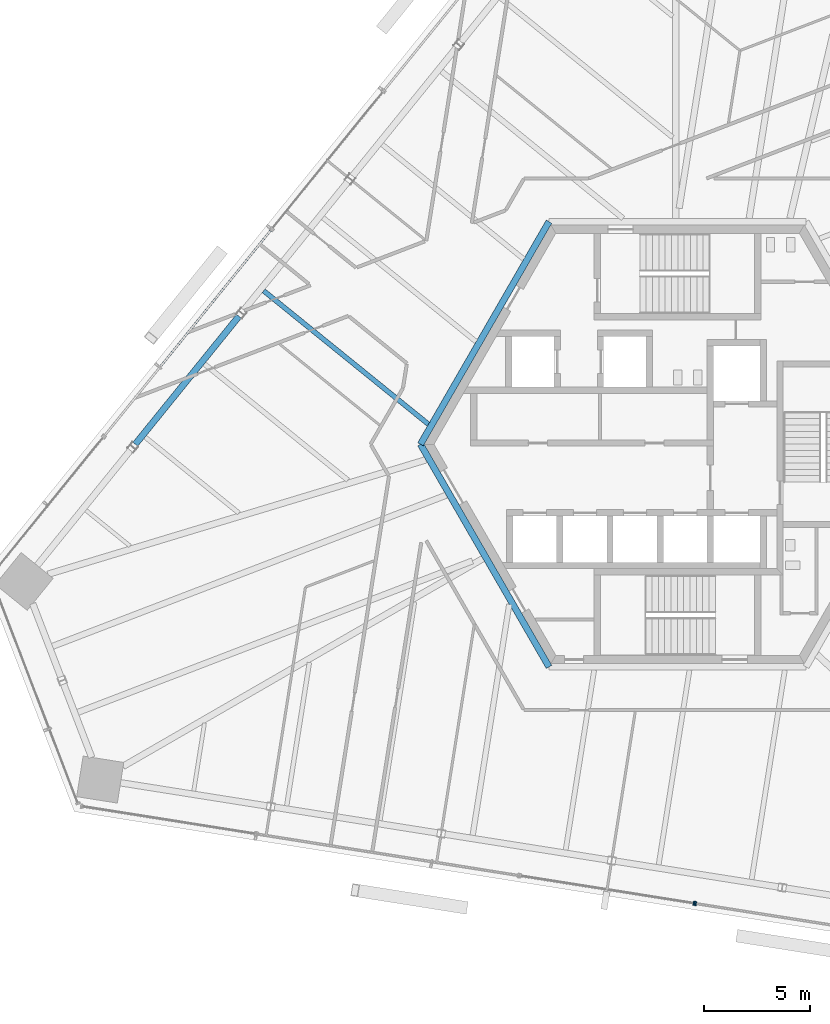
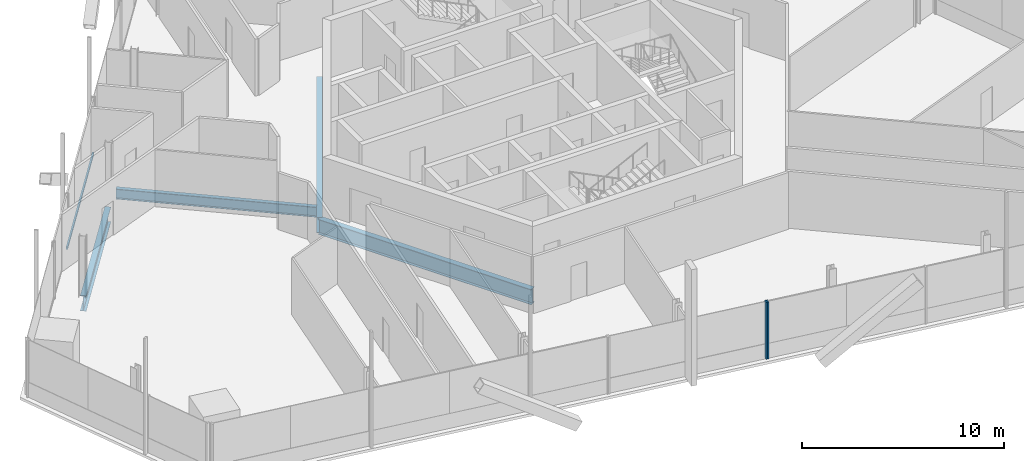
# One storey, part 5 of 21: 4 beams, 3 members, 3 elements without a shape of their own.
"""IFC4 building model written with IfcOpenShell, lengths in metres."""

from ifc_helpers import new_model, si_unit, direction, frame, origin, origin_2d, place, context, subcontext, project, spatial, rectangle, i_section, extrude, source, transform, mapped, material, material_profile, profile_set, type_object, element, aggregate, save


model = new_model("IFC4")

# Units and contexts
model_context = context("Model", 3, precision=1e-05, world=origin(), true_north=direction((0.0, 1.0)))
body_context = subcontext(model_context, "Body", "Model", "MODEL_VIEW")
ifc_project = project(units=[si_unit("LENGTHUNIT", "METRE"), si_unit("AREAUNIT", "SQUARE_METRE"), si_unit("VOLUMEUNIT", "CUBIC_METRE"), si_unit("PLANEANGLEUNIT", "RADIAN"), si_unit("MASSUNIT", "GRAM", prefix="KILO")], contexts=[model_context])

# Site, building, storey
site_placement = place(None, origin())
site = spatial("IfcSite", under=ifc_project, at=site_placement, CompositionType="ELEMENT")
building_placement = place(site_placement, origin())
building = spatial("IfcBuilding", under=site, at=building_placement, Name="Triune Harvest Tower", CompositionType="ELEMENT")
storey_placement = place(building_placement, frame((0.0, 0.0, 160.5)))
storey = spatial("IfcBuildingStorey", under=building, at=storey_placement, Name="L41", CompositionType="ELEMENT", Elevation=160.5)

# Beams
ifc_material_1 = material(Name="Steel ASTM A992 Gr 50", Category="steel")
ifc_material_profile_1 = material_profile(ifc_material_1, i_section(OverallWidth=0.3046875, OverallDepth=0.914306640625, WebThickness=0.0166015625, FlangeThickness=0.02587890625, at=origin_2d()), Name="W36x160")
ifc_profile_set_1 = profile_set([ifc_material_profile_1], Name="Steel ASTM A992 Gr 50")
beam_type_1 = type_object("IfcBeamType", Name="CG-1 Core ring girder W36x160", PredefinedType="BEAM", material=ifc_profile_set_1)
shared_shape_1 = source(origin(), body_context, "Body", "SweptSolid", [
    extrude(i_section(OverallWidth=0.3046875, OverallDepth=0.914306640625, WebThickness=0.0166015625, FlangeThickness=0.02587890625, at=origin_2d()), origin(), (0.0, 0.0, 1.0), 12.176025390625),
])
for number, where, z_axis, x_axis, name in (
    (1, (-6.087890625, 10.544677734375, -0.6171875), (-0.5000099932, -0.866019634131, 0.0), (0.866019634131, -0.5000099932, 0.0), "beam/L41/CG3"),
    (2, (-12.176025390625, 0.0, -0.6171875), (0.5000099932, -0.866019634131, 0.0), (0.866019634131, 0.5000099932, 0.0), "beam/L41/CG4"),
):
    element("IfcBeam", number, at=place(storey_placement, frame(where, z_axis=z_axis, x_axis=x_axis)), inside=storey, type_object=beam_type_1, Name=name, PredefinedType="BEAM", context=body_context, shape_type="MappedRepresentation", body=[
        mapped(shared_shape_1, transform((0.0, 0.0, 0.0), scale=1.0)),
    ])
ifc_material_2 = material(Name="Steel ASTM A992 Gr 50", Category="steel")
ifc_material_profile_2 = material_profile(ifc_material_2, i_section(OverallWidth=0.3046875, OverallDepth=0.914306640625, WebThickness=0.0166015625, FlangeThickness=0.02587890625, at=origin_2d()), Name="W36x160")
ifc_profile_set_2 = profile_set([ifc_material_profile_2], Name="Steel ASTM A992 Gr 50")
beam_type_2 = type_object("IfcBeamType", Name="SB-1 Spandrel beam W36x160", PredefinedType="SPANDREL", material=ifc_profile_set_2)
shared_shape_2 = source(origin(), body_context, "Body", "SweptSolid", [
    extrude(i_section(OverallWidth=0.3046875, OverallDepth=0.914306640625, WebThickness=0.0166015625, FlangeThickness=0.02587890625, at=origin_2d()), origin(), (0.0, 0.0, 1.0), 7.8017578125),
])
beam_1_placement = place(storey_placement, frame((-20.775390625, 6.064208984375, -0.6171875), z_axis=(-0.629335951387, -0.777133360686, 0.0), x_axis=(0.777133360686, -0.629335951387, 0.0)))
element("IfcBeam", 3, at=beam_1_placement, inside=storey, type_object=beam_type_2, Name="beam/L41/SB13", PredefinedType="SPANDREL", context=body_context, shape_type="MappedRepresentation", body=[
    mapped(shared_shape_2, transform((0.0, 0.0, 0.0), scale=1.0)),
])
ifc_material_3 = material(Name="Steel ASTM A992 Gr 50", Category="steel")
ifc_material_profile_3 = material_profile(ifc_material_3, i_section(OverallWidth=0.22900390625, OverallDepth=0.612060546875, WebThickness=0.011962890625, FlangeThickness=0.01953125, at=origin_2d()), Name="W24x84")
ifc_profile_set_3 = profile_set([ifc_material_profile_3], Name="Steel ASTM A992 Gr 50")
beam_type_3 = type_object("IfcBeamType", Name="JT-3 Floor joist W24x84", PredefinedType="JOIST", material=ifc_profile_set_3)
shared_shape_3 = source(origin(), body_context, "Body", "SweptSolid", [
    extrude(i_section(OverallWidth=0.22900390625, OverallDepth=0.612060546875, WebThickness=0.011962890625, FlangeThickness=0.01953125, at=origin_2d()), origin(), (0.0, 0.0, 1.0), 10.0380859375),
])
beam_2_placement = place(storey_placement, frame((-19.60400390625, 7.268310546875, -0.466064453125), z_axis=(0.777146308943, -0.629319961941, 0.0), x_axis=(0.629319961941, 0.777146308943, 0.0)))
element("IfcBeam", 4, at=beam_2_placement, inside=storey, type_object=beam_type_3, Name="beam/L41/JT19", PredefinedType="JOIST", context=body_context, shape_type="MappedRepresentation", body=[
    mapped(shared_shape_3, transform((0.0, 0.0, 0.0), scale=1.0)),
])

# Curtain wall, member
ifc_material_4 = material(Name="Aluminium bronze anodised", Category="aluminium")
curtain_wall_type_1 = type_object("IfcCurtainWallType", Name="CW-1 Tower stick curtain wall", PredefinedType="NOTDEFINED", material=ifc_material_4)
curtain_wall_1_placement = place(storey_placement, origin())
curtain_wall_1 = element("IfcCurtainWall", 5, at=curtain_wall_1_placement, inside=storey, type_object=curtain_wall_type_1, Name="CW-1 B4-F5 L41 run 2001")
ifc_material_5 = material(Name="Aluminium bronze anodised", Category="aluminium")
ifc_material_profile_4 = material_profile(ifc_material_5, rectangle(XDim=0.199951171875, YDim=0.074951171875, at=origin_2d()), Name="MU-1 mullion 75 x 200")
ifc_profile_set_4 = profile_set([ifc_material_profile_4], Name="Aluminium bronze anodised")
member_type_1 = type_object("IfcMemberType", Name="MU-1 mullion 75 x 200", PredefinedType="MULLION", material=ifc_profile_set_4)
shared_shape_4 = source(origin(), body_context, "Body", "SweptSolid", [
    extrude(rectangle(XDim=0.199951171875, YDim=0.074951171875, at=origin_2d()), origin(), (0.0, 0.0, 1.0), 3.43994140625),
])
member_1_placement = place(storey_placement, frame((0.77734375, -21.739990234375, 0.0), z_axis=(0.0, 0.0, 1.0), x_axis=(0.156436246492, 0.987688058439, 0.0)))
member_1 = element("IfcMember", 6, at=member_1_placement, type_object=member_type_1, Name="CW-1 mullion B4-F5 2001.3", PredefinedType="MULLION", context=body_context, shape_type="MappedRepresentation", body=[
    mapped(shared_shape_4, transform((0.0, 0.0, 0.0), scale=1.0)),
])
aggregate(curtain_wall_1, [member_1])

ifc_material_6 = material(Name="Aluminium bronze anodised", Category="aluminium")
curtain_wall_type_2 = type_object("IfcCurtainWallType", Name="CW-7 Tower stick curtain wall with insulated spandrel infill", PredefinedType="NOTDEFINED", material=ifc_material_6)
curtain_wall_2_placement = place(storey_placement, origin())
curtain_wall_2 = element("IfcCurtainWall", 7, at=curtain_wall_2_placement, inside=storey, type_object=curtain_wall_type_2, Name="CW-7 B4-F5 L41 run 3001")
member_2_placement = place(storey_placement, frame((0.851318359375, -21.751708984375, 0.0), z_axis=(0.0, 0.0, 1.0), x_axis=(0.156430964452, 0.987688895028, 0.0)))
member_2 = element("IfcMember", 8, at=member_2_placement, type_object=member_type_1, Name="CW-7 mullion B4-F5 3001.1", PredefinedType="MULLION", context=body_context, shape_type="MappedRepresentation", body=[
    mapped(shared_shape_4, transform((0.0, 0.0, 0.0), scale=1.0)),
])
aggregate(curtain_wall_2, [member_2])

ifc_material_7 = material(Name="Aluminium bronze anodised", Category="aluminium")
curtain_wall_type_3 = type_object("IfcCurtainWallType", Name="CW-10 Balcony window wall with insulated spandrel infill", PredefinedType="NOTDEFINED", material=ifc_material_7)
curtain_wall_3_placement = place(storey_placement, origin())
curtain_wall_3 = element("IfcCurtainWall", 9, at=curtain_wall_3_placement, inside=storey, type_object=curtain_wall_type_3, Name="CW-10 B4-F3 L41 run 2002")
ifc_material_8 = material(Name="Aluminium bronze anodised", Category="aluminium")
ifc_material_profile_5 = material_profile(ifc_material_8, rectangle(XDim=0.090087890625, YDim=0.14990234375, at=origin_2d()), Name="TR-6 transom 90 x 150")
ifc_profile_set_5 = profile_set([ifc_material_profile_5], Name="Aluminium bronze anodised")
member_type_2 = type_object("IfcMemberType", Name="TR-6 transom 90 x 150", PredefinedType="USERDEFINED", material=ifc_profile_set_5)
shared_shape_5 = source(origin(), body_context, "Body", "SweptSolid", [
    extrude(rectangle(XDim=0.090087890625, YDim=0.14990234375, at=origin_2d()), origin(), (0.0, 0.0, 1.0), 8.309814453125),
])
member_3_placement = place(storey_placement, frame((-19.27099609375, 10.12890625, 0.074951171875), z_axis=(-0.629313164831, -0.777151813078, 0.0), x_axis=(0.777151813078, -0.629313164831, 0.0)))
member_3 = element("IfcMember", 10, at=member_3_placement, type_object=member_type_2, Name="CW-10 transom B4-F3 2002.1", ObjectType="TRANSOM", PredefinedType="USERDEFINED", context=body_context, shape_type="MappedRepresentation", body=[
    mapped(shared_shape_5, transform((0.0, 0.0, 0.0), scale=1.0)),
])
aggregate(curtain_wall_3, [member_3])

save(model, "model.ifc")
